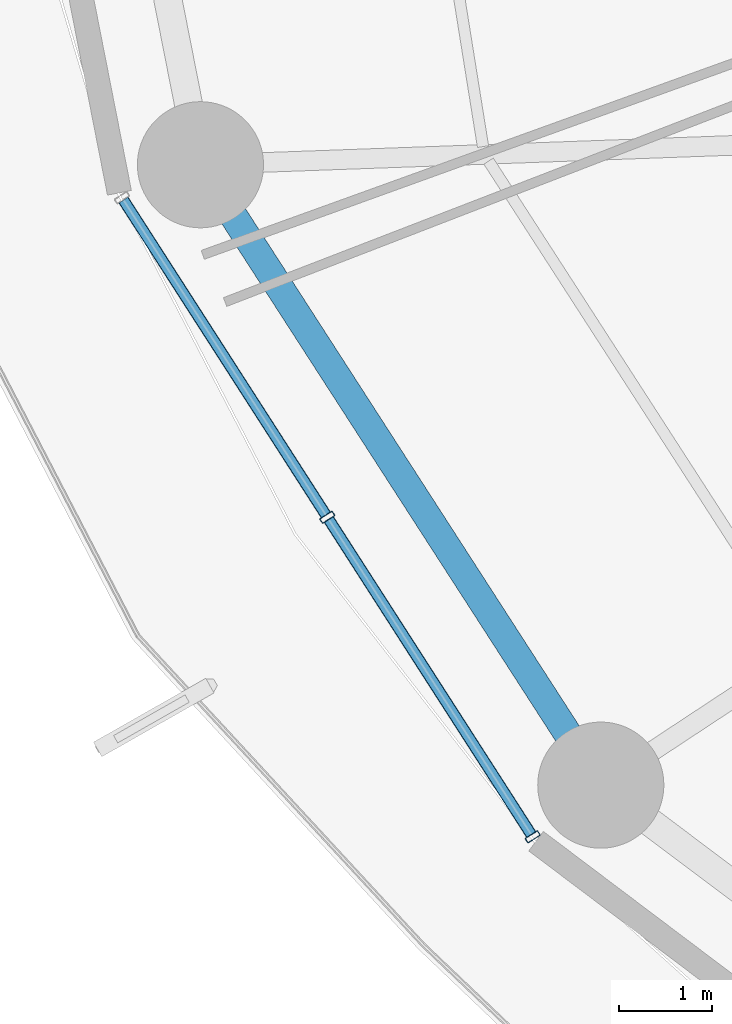
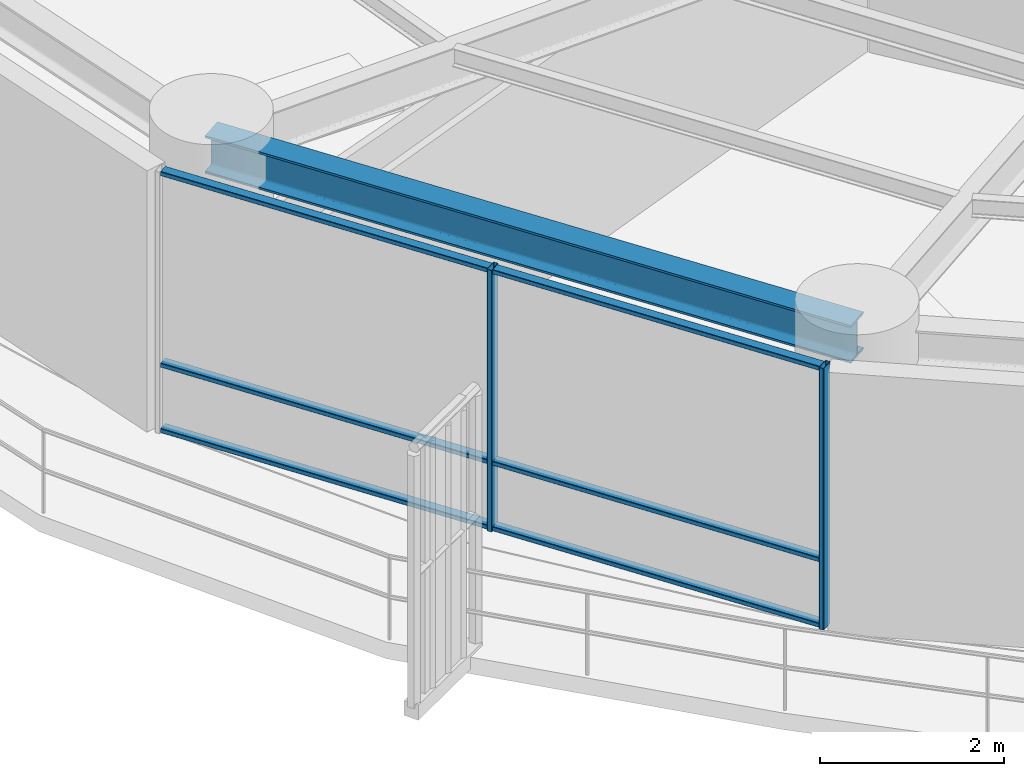
# One storey, part 2 of 33: 8 members, 1 beam, 1 element without a shape of its own.
"""IFC4 building model written with IfcOpenShell, lengths in metres."""

import ifcopenshell
import ifcopenshell.guid

model = None  # the IFC model being written
_history = None  # IfcOwnerHistory: only IFC2X3 demands one
_inside = {}  # id of a spatial element -> (the spatial element, [elements in it])
_under = {}  # id of a project, library or spatial element -> (it, [spatial elements below it])
_declared = {}  # id of a project -> (the project, [libraries it declares])
_typed = {}  # id of a type object -> (the type object, [elements of that type])
_made_of = {}  # id of a material, layer set ... -> (it, [elements and type objects made of it])


def new_model(schema):
    """Start an empty IFC model of exactly this schema.

    Asked for "IFC4X3", IfcOpenShell would pick the latest addendum, in which some entities
    have other attributes; the version numbers below select the first issue.
    IFC2X3 requires an IfcOwnerHistory on every rooted entity: one is made here for all.
    """
    global model, _history
    if schema == "IFC4X3":
        model = ifcopenshell.file(schema_version=(4, 3, 0, 0))
    else:
        model = ifcopenshell.file(schema=schema)
    _inside.clear()
    _under.clear()
    _declared.clear()
    _typed.clear()
    _made_of.clear()
    _history = None
    if model.schema == "IFC2X3":
        org = make("IfcOrganization", Name="unknown")
        user = make(
            "IfcPersonAndOrganization",
            ThePerson=make("IfcPerson", FamilyName="unknown"),
            TheOrganization=org,
        )
        app = make(
            "IfcApplication",
            ApplicationDeveloper=org,
            Version="unknown",
            ApplicationFullName="unknown",
            ApplicationIdentifier="unknown",
        )
        _history = make(
            "IfcOwnerHistory",
            OwningUser=user,
            OwningApplication=app,
            ChangeAction="ADDED",
            CreationDate=0,
        )
    return model


def make(cls, **values):
    """One entity of the class cls with the attributes given. An attribute that is None is left unset."""
    return model.create_entity(
        cls, **{name: value for name, value in values.items() if value is not None}
    )


def rooted(cls, **values):
    """An entity with a GlobalId (a new one), such as an element, a storey or a relation."""
    return make(cls, GlobalId=ifcopenshell.guid.new(), OwnerHistory=_history, **values)


def si_unit(unit_type, name, prefix=None):
    """IfcSIUnit, for example si_unit("LENGTHUNIT", "METRE", prefix="MILLI")."""
    return make("IfcSIUnit", UnitType=unit_type, Prefix=prefix, Name=name)


def assignment(units):
    """IfcUnitAssignment: the units of a project."""
    return None if units is None else make("IfcUnitAssignment", Units=units)


def point(xyz):
    """IfcCartesianPoint."""
    return None if xyz is None else make("IfcCartesianPoint", Coordinates=xyz)


def direction(xyz):
    """IfcDirection."""
    return None if xyz is None else make("IfcDirection", DirectionRatios=xyz)


def frame(location, z_axis=None, x_axis=None):
    """IfcAxis2Placement3D, a coordinate frame: its origin and axes. An axis left out is left unset."""
    return make(
        "IfcAxis2Placement3D",
        Location=point(location),
        Axis=direction(z_axis),
        RefDirection=direction(x_axis),
    )


def frame_2d(location, x_axis=None):
    """IfcAxis2Placement2D, a coordinate frame in the plane: its origin and x axis."""
    return make(
        "IfcAxis2Placement2D", Location=point(location), RefDirection=direction(x_axis)
    )


def origin():
    """The frame at (0, 0, 0) with its axes left unset."""
    return frame((0.0, 0.0, 0.0))


def origin_2d():
    """The frame at (0, 0) in the plane with its x axis left unset."""
    return frame_2d((0.0, 0.0))


def place(relative_to, where):
    """IfcLocalPlacement: puts the frame where relative to a parent placement (None: the world)."""
    return make(
        "IfcLocalPlacement", PlacementRelTo=relative_to, RelativePlacement=where
    )


def context(
    kind, dimensions, precision=None, world=None, true_north=None, identifier=None
):
    """IfcGeometricRepresentationContext, for example the 3D "Model" context."""
    return make(
        "IfcGeometricRepresentationContext",
        ContextIdentifier=identifier,
        ContextType=kind,
        CoordinateSpaceDimension=dimensions,
        Precision=precision,
        WorldCoordinateSystem=world,
        TrueNorth=true_north,
    )


def subcontext(parent, identifier, kind, view, scale=None):
    """IfcGeometricRepresentationSubContext, for example "Body" below "Model"."""
    return make(
        "IfcGeometricRepresentationSubContext",
        ContextIdentifier=identifier,
        ContextType=kind,
        ParentContext=parent,
        TargetScale=scale,
        TargetView=view,
    )


def project(units=None, contexts=None):
    """IfcProject with its units and contexts."""
    return rooted(
        "IfcProject",
        Name="project",
        RepresentationContexts=contexts,
        UnitsInContext=assignment(units),
    )


def spatial(cls, under=None, at=None, **own):
    """A site, building, storey or space (cls), placed at a placement, below another one or the project."""
    s = rooted(cls, ObjectPlacement=at, **own)
    if under is not None:
        _under.setdefault(under.id(), (under, []))[1].append(s)
    return s


def profile(cls, at=None, kind="AREA", **sizes):
    """A parametric profile (cls). Its sizes go by their IFC names, for example OverallWidth=200.0."""
    return make(cls, ProfileType=kind, Position=at, **sizes)


def hollow_rectangle(**sizes):
    """IfcRectangleHollowProfileDef."""
    return profile("IfcRectangleHollowProfileDef", **sizes)


def i_section(**sizes):
    """IfcIShapeProfileDef."""
    return profile("IfcIShapeProfileDef", **sizes)


def extrude(swept, where, along, depth):
    """IfcExtrudedAreaSolid: the profile swept, set in the frame where, extruded along a direction by depth."""
    return make(
        "IfcExtrudedAreaSolid",
        SweptArea=swept,
        Position=where,
        ExtrudedDirection=direction(along),
        Depth=depth,
    )


def shape(context_of_items, identifier, shape_type, items):
    """IfcShapeRepresentation: the items that make up one representation, for example the "Body"."""
    return make(
        "IfcShapeRepresentation",
        ContextOfItems=context_of_items,
        RepresentationIdentifier=identifier,
        RepresentationType=shape_type,
        Items=items,
    )


def material(Name=None, Category=None):
    """IfcMaterial."""
    return make("IfcMaterial", Name=Name, Category=Category)


def layer(
    of_material, thickness, ventilated=None, Name=None, Category=None, Priority=None
):
    """IfcMaterialLayer: one layer of a wall or slab, of a material (None: an air gap)."""
    return make(
        "IfcMaterialLayer",
        Material=of_material,
        LayerThickness=thickness,
        IsVentilated=ventilated,
        Name=Name,
        Category=Category,
        Priority=Priority,
    )


def layer_set(layers, Name=None):
    """IfcMaterialLayerSet."""
    return make("IfcMaterialLayerSet", MaterialLayers=layers, LayerSetName=Name)


def material_profile(
    of_material, cross_section, Name=None, Category=None, Priority=None
):
    """IfcMaterialProfile: a cross section and its material."""
    return make(
        "IfcMaterialProfile",
        Name=Name,
        Material=of_material,
        Profile=cross_section,
        Priority=Priority,
        Category=Category,
    )


def profile_set(profiles, Name=None, composite=None):
    """IfcMaterialProfileSet."""
    return make(
        "IfcMaterialProfileSet",
        Name=Name,
        MaterialProfiles=profiles,
        CompositeProfile=composite,
    )


def made_of(thing, what):
    """Note that an element or type object is made of a material, layer set ...; save() writes the relation."""
    if what is not None:
        _made_of.setdefault(what.id(), (what, []))[1].append(thing)
    return thing


def type_object(cls, material=None, **own):
    """A type object (cls), such as IfcWallType, which elements share."""
    return made_of(rooted(cls, **own), material)


def element(
    cls,
    number,
    at=None,
    inside=None,
    cuts=None,
    type_object=None,
    material=None,
    context=None,
    identifier="Body",
    shape_type=None,
    held_by="IfcProductDefinitionShape",
    body=None,
    shapes=None,
    **own,
):
    """One element of the class cls, such as IfcWall. Its Tag is "e" and its number.

    at: its placement. inside: the storey or other place that contains it. cuts: it is an
    opening in that element (IfcRelVoidsElement). A single representation is given by context,
    identifier, shape_type and body (its items); several are given by shapes. held_by: the class
    of the entity that holds the representations. save() writes the other relations.
    """
    e = rooted(cls, Tag="e%d" % number, ObjectPlacement=at, **own)
    if body is not None:
        shapes = [shape(context, identifier, shape_type, body)]
    if shapes is not None:
        e.Representation = make(held_by, Representations=shapes)
    if inside is not None:
        _inside.setdefault(inside.id(), (inside, []))[1].append(e)
    if cuts is not None:
        rooted(
            "IfcRelVoidsElement", RelatingBuildingElement=cuts, RelatedOpeningElement=e
        )
    if type_object is not None:
        _typed.setdefault(type_object.id(), (type_object, []))[1].append(e)
    return made_of(e, material)


def aggregate(whole, parts):
    """IfcRelAggregates: a whole, such as a stair, and the parts it consists of."""
    return rooted("IfcRelAggregates", RelatingObject=whole, RelatedObjects=parts)


def save(model, path):
    """Write the relations noted so far, then the file.

    IfcRelAggregates (storeys below a building ...), IfcRelContainedInSpatialStructure (elements
    in a storey), IfcRelDefinesByType, IfcRelAssociatesMaterial and IfcRelDeclares: one each for
    every whole, place, type object, material and project.
    """
    for whole, parts in _under.values():
        aggregate(whole, parts)
    for where, things in _inside.values():
        rooted(
            "IfcRelContainedInSpatialStructure",
            RelatedElements=things,
            RelatingStructure=where,
        )
    for kind, things in _typed.values():
        rooted("IfcRelDefinesByType", RelatedObjects=things, RelatingType=kind)
    for what, things in _made_of.values():
        rooted("IfcRelAssociatesMaterial", RelatedObjects=things, RelatingMaterial=what)
    for by, libraries in _declared.values():
        rooted("IfcRelDeclares", RelatingContext=by, RelatedDefinitions=libraries)
    model.write(path)


model = new_model("IFC4")

# Units and contexts
model_context = context("Model", 3, precision=1e-05, world=origin(), true_north=direction((0.0, 1.0)))
body_context = subcontext(model_context, "Body", "Model", "MODEL_VIEW")
ifc_project = project(units=[si_unit("LENGTHUNIT", "METRE"), si_unit("AREAUNIT", "SQUARE_METRE"), si_unit("VOLUMEUNIT", "CUBIC_METRE"), si_unit("PLANEANGLEUNIT", "RADIAN"), si_unit("MASSUNIT", "GRAM", prefix="KILO")], contexts=[model_context])

# Site, building, storey
site_placement = place(None, origin())
site = spatial("IfcSite", under=ifc_project, at=site_placement, CompositionType="ELEMENT")
building_placement = place(site_placement, origin())
building = spatial("IfcBuilding", under=site, at=building_placement, Name="Kelanora Arch Commons", CompositionType="ELEMENT")
storey_placement = place(building_placement, frame((0.0, 0.0, 83.85009765625)))
storey = spatial("IfcBuildingStorey", under=building, at=storey_placement, Name="L21", CompositionType="ELEMENT", Elevation=83.85009765625)

# Beam
ifc_material_1 = material(Name="Steel S355", Category="steel")
ifc_material_profile_1 = material_profile(ifc_material_1, i_section(OverallWidth=0.300048828125, OverallDepth=0.5, WebThickness=0.014404296875, FlangeThickness=0.028076171875, FilletRadius=0.027099609375, at=origin_2d()), Name="HEB500")
ifc_profile_set_1 = profile_set([ifc_material_profile_1], Name="Steel S355")
beam_type = type_object("IfcBeamType", Name="BM-SPN-Z2", PredefinedType="SPANDREL", material=ifc_profile_set_1)
beam_placement = place(storey_placement, frame((50.808349609375, 50.4482421875, 3.239990234375), z_axis=(0.542221144054, -0.840235818649, 0.0), x_axis=(0.840235818649, 0.542221144054, 0.0)))
element("IfcBeam", 1, at=beam_placement, inside=storey, type_object=beam_type, Name="Perimeter Spandrel Beam BS-20 L21", PredefinedType="SPANDREL", context=body_context, shape_type="SweptSolid", body=[
    extrude(i_section(OverallWidth=0.300048828125, OverallDepth=0.5, WebThickness=0.014404296875, FlangeThickness=0.028076171875, FilletRadius=0.027099609375, at=origin_2d()), origin(), (0.0, 0.0, 1.0), 7.90380859375),
])

# Curtain wall, members
ifc_material_2 = material(Name="Terracotta ceramic-fritted low-E glass and aluminium", Category="masonry")
ifc_layer = layer(ifc_material_2, 0.159912109375)
ifc_layer_set = layer_set([ifc_layer], Name="Terracotta ceramic-fritted low-E glass and aluminium")
curtain_wall_type = type_object("IfcCurtainWallType", Name="CW-SYS-01", PredefinedType="NOTDEFINED", material=ifc_layer_set)
curtain_wall_placement = place(storey_placement, origin())
curtain_wall = element("IfcCurtainWall", 2, at=curtain_wall_placement, inside=storey, type_object=curtain_wall_type, Name="Unitised Curtain Wall L21-B10", PredefinedType="NOTDEFINED")
ifc_material_3 = material(Name="Powder-coated aluminium terracotta", Category="masonry")
ifc_material_profile_2 = material_profile(ifc_material_3, hollow_rectangle(XDim=0.159912109375, YDim=0.06005859375, WallThickness=0.0048828125, InnerFilletRadius=0.0048828125, OuterFilletRadius=0.010009765625, at=origin_2d()), Name="CWM160x60")
ifc_profile_set_2 = profile_set([ifc_material_profile_2], Name="Powder-coated aluminium terracotta")
member_type_1 = type_object("IfcMemberType", Name="CWM-STD", PredefinedType="MULLION", material=ifc_profile_set_2)
member_1_placement = place(storey_placement, frame((52.16650390625, 46.6748046875, 0.0), z_axis=(0.0, 0.0, 1.0), x_axis=(0.841268883088, 0.540616931244, 0.0)))
member_1 = element("IfcMember", 3, at=member_1_placement, type_object=member_type_1, Name="CW-01 mullion 2", PredefinedType="MULLION", context=body_context, shape_type="SweptSolid", body=[
    extrude(hollow_rectangle(XDim=0.159912109375, YDim=0.06005859375, WallThickness=0.0048828125, InnerFilletRadius=0.0048828125, OuterFilletRadius=0.010009765625, at=origin_2d()), origin(), (0.0, 0.0, 1.0), 3.474853515625),
])
member_2_placement = place(storey_placement, frame((54.364990234375, 43.253662109375, 0.0), z_axis=(0.0, 0.0, 1.0), x_axis=(0.841268883088, 0.540616931244, 0.0)))
member_2 = element("IfcMember", 4, at=member_2_placement, type_object=member_type_1, Name="CW-01 mullion 3", PredefinedType="MULLION", context=body_context, shape_type="SweptSolid", body=[
    extrude(hollow_rectangle(XDim=0.159912109375, YDim=0.06005859375, WallThickness=0.0048828125, InnerFilletRadius=0.0048828125, OuterFilletRadius=0.010009765625, at=origin_2d()), origin(), (0.0, 0.0, 1.0), 3.474853515625),
])
ifc_material_profile_3 = material_profile(ifc_material_3, hollow_rectangle(XDim=0.1201171875, YDim=0.06005859375, WallThickness=0.0048828125, InnerFilletRadius=0.0048828125, OuterFilletRadius=0.010009765625, at=origin_2d()), Name="CWT120x60")
ifc_profile_set_3 = profile_set([ifc_material_profile_3], Name="Powder-coated aluminium terracotta")
member_type_2 = type_object("IfcMemberType", Name="CWT-STD", PredefinedType="USERDEFINED", material=ifc_profile_set_3)
member_3_placement = place(storey_placement, frame((49.984375, 50.0703125, 0.02978515625), z_axis=(0.540643629734, -0.841251725483, 0.0), x_axis=(0.841251725483, 0.540643629734, 0.0)))
member_3 = element("IfcMember", 5, at=member_3_placement, type_object=member_type_2, Name="CW-01 transom 1.1", ObjectType="TRANSOM", PredefinedType="USERDEFINED", context=body_context, shape_type="SweptSolid", body=[
    extrude(hollow_rectangle(XDim=0.1201171875, YDim=0.06005859375, WallThickness=0.0048828125, InnerFilletRadius=0.0048828125, OuterFilletRadius=0.010009765625, at=origin_2d()), origin(), (0.0, 0.0, 1.0), 4.00634765625),
])
member_4_placement = place(storey_placement, frame((49.984375, 50.0703125, 0.89990234375), z_axis=(0.540643629734, -0.841251725483, 0.0), x_axis=(0.841251725483, 0.540643629734, 0.0)))
member_4 = element("IfcMember", 6, at=member_4_placement, type_object=member_type_2, Name="CW-01 transom 1.2", ObjectType="TRANSOM", PredefinedType="USERDEFINED", context=body_context, shape_type="SweptSolid", body=[
    extrude(hollow_rectangle(XDim=0.1201171875, YDim=0.06005859375, WallThickness=0.0048828125, InnerFilletRadius=0.0048828125, OuterFilletRadius=0.010009765625, at=origin_2d()), origin(), (0.0, 0.0, 1.0), 4.00634765625),
])
member_5_placement = place(storey_placement, frame((49.984375, 50.0703125, 3.44482421875), z_axis=(0.540643629734, -0.841251725483, 0.0), x_axis=(0.841251725483, 0.540643629734, 0.0)))
member_5 = element("IfcMember", 7, at=member_5_placement, type_object=member_type_2, Name="CW-01 transom 1.3", ObjectType="TRANSOM", PredefinedType="USERDEFINED", context=body_context, shape_type="SweptSolid", body=[
    extrude(hollow_rectangle(XDim=0.1201171875, YDim=0.06005859375, WallThickness=0.0048828125, InnerFilletRadius=0.0048828125, OuterFilletRadius=0.010009765625, at=origin_2d()), origin(), (0.0, 0.0, 1.0), 4.00634765625),
])
member_6_placement = place(storey_placement, frame((52.182861328125, 46.6494140625, 0.02978515625), z_axis=(0.540643629734, -0.841251725483, 0.0), x_axis=(0.841251725483, 0.540643629734, 0.0)))
member_6 = element("IfcMember", 8, at=member_6_placement, type_object=member_type_2, Name="CW-01 transom 2.1", ObjectType="TRANSOM", PredefinedType="USERDEFINED", context=body_context, shape_type="SweptSolid", body=[
    extrude(hollow_rectangle(XDim=0.1201171875, YDim=0.06005859375, WallThickness=0.0048828125, InnerFilletRadius=0.0048828125, OuterFilletRadius=0.010009765625, at=origin_2d()), origin(), (0.0, 0.0, 1.0), 4.00634765625),
])
member_7_placement = place(storey_placement, frame((52.182861328125, 46.6494140625, 0.89990234375), z_axis=(0.540643629734, -0.841251725483, 0.0), x_axis=(0.841251725483, 0.540643629734, 0.0)))
member_7 = element("IfcMember", 9, at=member_7_placement, type_object=member_type_2, Name="CW-01 transom 2.2", ObjectType="TRANSOM", PredefinedType="USERDEFINED", context=body_context, shape_type="SweptSolid", body=[
    extrude(hollow_rectangle(XDim=0.1201171875, YDim=0.06005859375, WallThickness=0.0048828125, InnerFilletRadius=0.0048828125, OuterFilletRadius=0.010009765625, at=origin_2d()), origin(), (0.0, 0.0, 1.0), 4.00634765625),
])
member_8_placement = place(storey_placement, frame((52.182861328125, 46.6494140625, 3.44482421875), z_axis=(0.540643629734, -0.841251725483, 0.0), x_axis=(0.841251725483, 0.540643629734, 0.0)))
member_8 = element("IfcMember", 10, at=member_8_placement, type_object=member_type_2, Name="CW-01 transom 2.3", ObjectType="TRANSOM", PredefinedType="USERDEFINED", context=body_context, shape_type="SweptSolid", body=[
    extrude(hollow_rectangle(XDim=0.1201171875, YDim=0.06005859375, WallThickness=0.0048828125, InnerFilletRadius=0.0048828125, OuterFilletRadius=0.010009765625, at=origin_2d()), origin(), (0.0, 0.0, 1.0), 4.00634765625),
])
aggregate(curtain_wall, [member_1, member_2, member_3, member_4, member_5, member_6, member_7, member_8])

save(model, "model.ifc")
